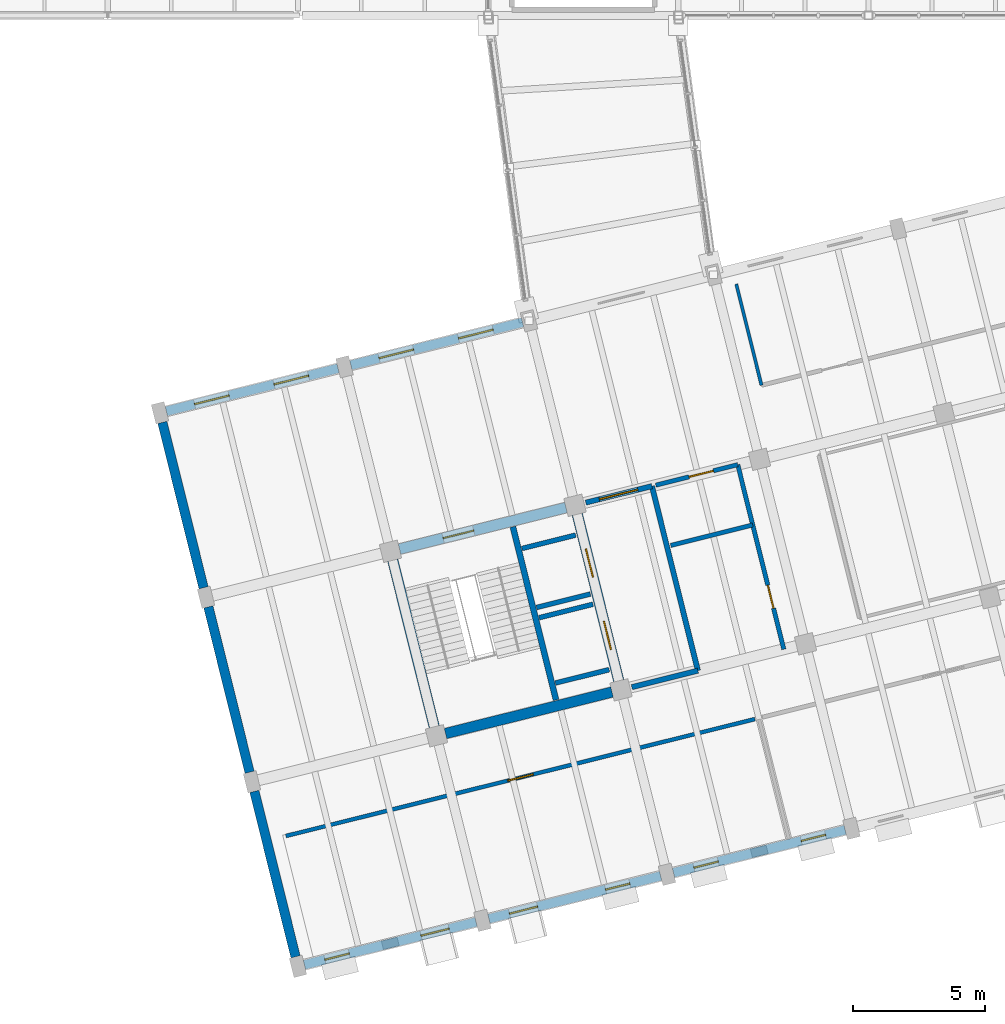
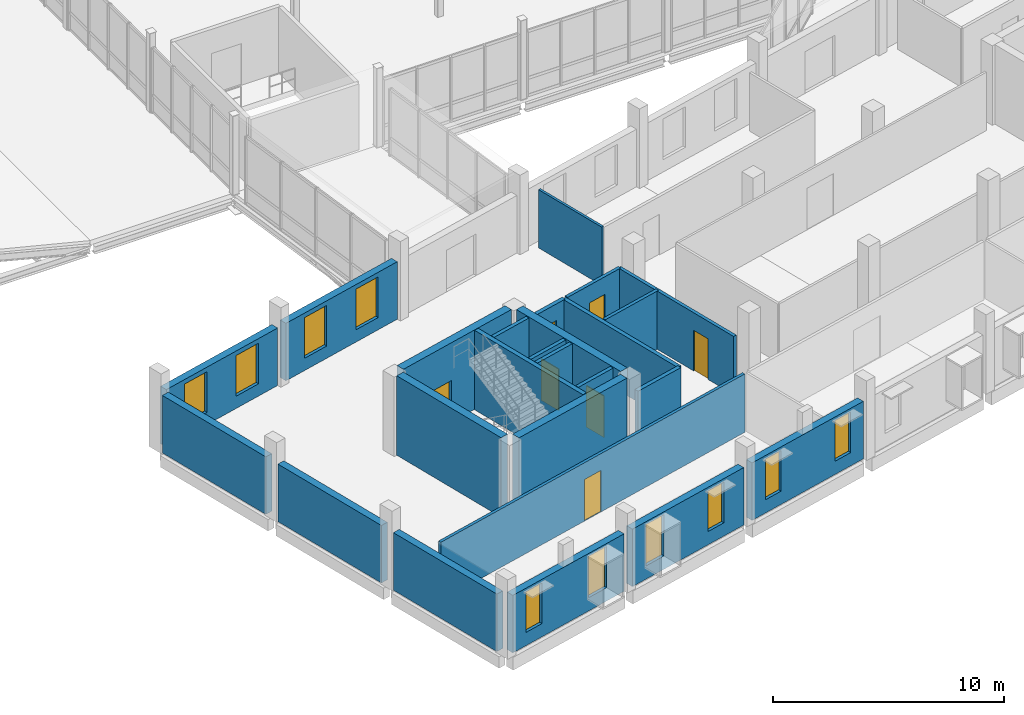
# One storey, part 46 of 63: 25 walls, 10 windows, 7 doors, 17 openings.
"""IFC4 building model written with IfcOpenShell, lengths in metres."""

from ifc_helpers import new_model, si_unit, direction, frame, frame_2d, origin, place, context, subcontext, project, spatial, rectangle, extrude, material, layer, layer_set, type_object, element, fill, save


model = new_model("IFC4")

# Units and contexts
model_context = context("Model", 3, precision=1e-05, world=origin(), true_north=direction((0.0, 1.0)))
body_context = subcontext(model_context, "Body", "Model", "MODEL_VIEW")
ifc_project = project(units=[si_unit("LENGTHUNIT", "METRE"), si_unit("AREAUNIT", "SQUARE_METRE"), si_unit("VOLUMEUNIT", "CUBIC_METRE"), si_unit("PLANEANGLEUNIT", "RADIAN"), si_unit("MASSUNIT", "GRAM", prefix="KILO")], contexts=[model_context])

# Site, building, storey
site_placement = place(None, origin())
site = spatial("IfcSite", under=ifc_project, at=site_placement, CompositionType="ELEMENT")
building_placement = place(site_placement, origin())
building = spatial("IfcBuilding", under=site, at=building_placement, Name="Qiaolan Assembly House", CompositionType="ELEMENT")
storey_placement = place(building_placement, frame((0.0, 0.0, 14.39990234375)))
storey = spatial("IfcBuildingStorey", under=building, at=storey_placement, Name="L03", CompositionType="ELEMENT", Elevation=14.39990234375)

# Wall
ifc_material_1 = material(Name="Concrete C45/55", Category="concrete")
ifc_layer_1 = layer(ifc_material_1, 0.39990234375)
ifc_layer_set_1 = layer_set([ifc_layer_1], Name="Concrete C45/55")
wall_type_1 = type_object("IfcWallType", Name="WAL-CORE-400", PredefinedType="SHEAR", material=ifc_layer_set_1)
wall_1_placement = place(storey_placement, frame((41.583984375, 8.812744140625, 0.0), z_axis=(0.0, 0.0, 1.0), x_axis=(0.970294759049, 0.241925774902, 0.0)))
element("IfcWall", 1, at=wall_1_placement, inside=storey, type_object=wall_type_1, Name="CW-400 shear core wall CORE-C S L03", PredefinedType="SHEAR", context=body_context, shape_type="SweptSolid", body=[
    extrude(rectangle(XDim=6.5, YDim=0.39990234375, at=frame_2d((3.25, 0.0))), origin(), (0.0, 0.0, 1.0), 4.2001953125),
])

# Wall, openings, doors
wall_2_placement = place(storey_placement, frame((48.145751953125, 10.809326171875, 0.0), z_axis=(0.0, 0.0, 1.0), x_axis=(-0.241925774902, 0.970294759049, 0.0)))
wall_2 = element("IfcWall", 2, at=wall_2_placement, inside=storey, type_object=wall_type_1, Name="CW-400 shear core wall CORE-C E L03", PredefinedType="SHEAR", context=body_context, shape_type="SweptSolid", body=[
    extrude(rectangle(XDim=6.5, YDim=0.39990234375, at=frame_2d((3.25, 0.0))), origin(), (0.0, 0.0, 1.0), 4.2001953125),
])
opening_1_placement = place(wall_2_placement, frame((1.22509765625, 0.0, 0.0)))
opening_1 = element("IfcOpeningElement", 3, at=opening_1_placement, cuts=wall_2, Name="Opening LD-049", PredefinedType="OPENING", context=body_context, shape_type="SweptSolid", body=[
    extrude(rectangle(XDim=1.10009765625, YDim=2.199951171875, at=frame_2d((0.550048828125, 1.10009765625))), frame((0.0, 0.2099609375, 0.0), z_axis=(0.0, -1.0, 0.0), x_axis=(1.0, 0.0, 0.0)), (0.0, 0.0, 1.0), 0.419921875),
])
opening_2_placement = place(wall_2_placement, frame((4.050048828125, 0.0, 0.0)))
opening_2 = element("IfcOpeningElement", 4, at=opening_2_placement, cuts=wall_2, Name="Opening LD-055", PredefinedType="OPENING", context=body_context, shape_type="SweptSolid", body=[
    extrude(rectangle(XDim=1.10009765625, YDim=2.199951171875, at=frame_2d((0.550048828125, 1.10009765625))), frame((0.0, 0.2099609375, 0.0), z_axis=(0.0, -1.0, 0.0), x_axis=(1.0, 0.0, 0.0)), (0.0, 0.0, 1.0), 0.419921875),
])
ifc_material_2 = material(Name="Anodised bronze aluminium", Category="aluminium")
door_type_1 = type_object("IfcDoorType", Name="DOR-LIFT-LD1100", OperationType="SLIDING_TO_LEFT", PredefinedType="DOOR", material=ifc_material_2)
door_1_placement = place(opening_1_placement, origin())
door_1 = element("IfcDoor", 5, at=door_1_placement, inside=storey, type_object=door_type_1, Name="Lift landing door LD-049 (LF-06 L03)", OperationType="SLIDING_TO_LEFT", OverallHeight=2.199951171875, OverallWidth=1.10009765625, PredefinedType="DOOR", context=body_context, shape_type="SweptSolid", body=[
    extrude(rectangle(XDim=1.10009765625, YDim=2.199951171875, at=frame_2d((0.550048828125, 1.10009765625))), frame((0.0, 0.02490234375, 0.0), z_axis=(0.0, -1.0, 0.0), x_axis=(1.0, 0.0, 0.0)), (0.0, 0.0, 1.0), 0.050048828125),
])
fill(opening_1, door_1)
door_2_placement = place(opening_2_placement, origin())
door_2 = element("IfcDoor", 6, at=door_2_placement, inside=storey, type_object=door_type_1, Name="Lift landing door LD-055 (LF-07 L03)", OperationType="SLIDING_TO_LEFT", OverallHeight=2.199951171875, OverallWidth=1.10009765625, PredefinedType="DOOR", context=body_context, shape_type="SweptSolid", body=[
    extrude(rectangle(XDim=1.10009765625, YDim=2.199951171875, at=frame_2d((0.550048828125, 1.10009765625))), frame((0.0, 0.02490234375, 0.0), z_axis=(0.0, -1.0, 0.0), x_axis=(1.0, 0.0, 0.0)), (0.0, 0.0, 1.0), 0.050048828125),
])
fill(opening_2, door_2)

# Wall, opening, door
wall_3_placement = place(storey_placement, frame((46.14892578125, 17.371337890625, 0.0), z_axis=(0.0, 0.0, 1.0), x_axis=(-0.970294759049, -0.241925774902, 0.0)))
wall_3 = element("IfcWall", 7, at=wall_3_placement, inside=storey, type_object=wall_type_1, Name="CW-400 shear core wall CORE-C N L03", PredefinedType="SHEAR", context=body_context, shape_type="SweptSolid", body=[
    extrude(rectangle(XDim=6.5, YDim=0.39990234375, at=frame_2d((3.25, 0.0))), origin(), (0.0, 0.0, 1.0), 4.2001953125),
])
opening_3_placement = place(wall_3_placement, frame((3.60009765625, 0.0, 0.0)))
opening_3 = element("IfcOpeningElement", 8, at=opening_3_placement, cuts=wall_3, Name="Opening FD-083", PredefinedType="OPENING", context=body_context, shape_type="SweptSolid", body=[
    extrude(rectangle(XDim=1.199951171875, YDim=2.199951171875, at=frame_2d((0.60009765625, 1.10009765625))), frame((0.0, 0.2099609375, 0.0), z_axis=(0.0, -1.0, 0.0), x_axis=(1.0, 0.0, 0.0)), (0.0, 0.0, 1.0), 0.419921875),
])
ifc_material_3 = material(Name="Steel Q355B", Category="steel")
door_type_2 = type_object("IfcDoorType", Name="DOR-FIRE-FD90-1200", OperationType="NOTDEFINED", PredefinedType="DOOR", material=ifc_material_3)
door_3_placement = place(opening_3_placement, frame((1.199951171875, 0.0, 0.0), z_axis=(0.0, 0.0, 1.0), x_axis=(-1.0, 0.0, 0.0)))
door_3 = element("IfcDoor", 9, at=door_3_placement, inside=storey, type_object=door_type_2, Name="Stairwell fire door FD-083 (CORE-C L03)", OperationType="SINGLE_SWING_RIGHT", OverallHeight=2.199951171875, OverallWidth=1.199951171875, PredefinedType="DOOR", context=body_context, shape_type="SweptSolid", body=[
    extrude(rectangle(XDim=1.199951171875, YDim=2.199951171875, at=frame_2d((0.60009765625, 1.10009765625))), frame((0.0, 0.02490234375, 0.0), z_axis=(0.0, -1.0, 0.0), x_axis=(1.0, 0.0, 0.0)), (0.0, 0.0, 1.0), 0.050048828125),
])
fill(opening_3, door_3)

# Wall
wall_4_placement = place(storey_placement, frame((39.587158203125, 15.37451171875, 0.0), z_axis=(0.0, 0.0, 1.0), x_axis=(0.241925774902, -0.970294759049, 0.0)))
element("IfcWall", 10, at=wall_4_placement, inside=storey, type_object=wall_type_1, Name="CW-400 shear core wall CORE-C W L03", PredefinedType="SHEAR", context=body_context, shape_type="SweptSolid", body=[
    extrude(rectangle(XDim=6.5, YDim=0.39990234375, at=frame_2d((3.25, 0.0))), origin(), (0.0, 0.0, 1.0), 4.2001953125),
])

# Wall, openings, windows
ifc_material_4 = material(Name="Honed pale limestone", Category="masonry")
ifc_layer_2 = layer(ifc_material_4, 0.360107421875)
ifc_layer_set_2 = layer_set([ifc_layer_2], Name="Honed pale limestone")
wall_type_2 = type_object("IfcWallType", Name="WAL-EXT-LIMESTONE-360", PredefinedType="SOLIDWALL", material=ifc_layer_set_2)
wall_5_placement = place(storey_placement, frame((36.24072265625, 0.06005859375, 0.0), z_axis=(0.0, 0.0, 1.0), x_axis=(0.970296540998, 0.241918627903, 0.0)))
wall_5 = element("IfcWall", 11, at=wall_5_placement, inside=storey, type_object=wall_type_2, Name="EW-360 SE South boulevard wall L03 bay 1", PredefinedType="SOLIDWALL", context=body_context, shape_type="SweptSolid", body=[
    extrude(rectangle(XDim=6.7041015625, YDim=0.360107421875, at=frame_2d((3.35205078125, 0.0))), origin(), (0.0, 0.0, 1.0), 3.0400390625),
])
opening_4_placement = place(wall_5_placement, frame((0.802001953125, 0.0, 0.699951171875)))
opening_4 = element("IfcOpeningElement", 12, at=opening_4_placement, cuts=wall_5, Name="Opening WN-310", PredefinedType="OPENING", context=body_context, shape_type="SweptSolid", body=[
    extrude(rectangle(XDim=0.949951171875, YDim=2.14990234375, at=frame_2d((0.47509765625, 1.074951171875))), frame((0.0, 0.18994140625, 0.0), z_axis=(0.0, -1.0, 0.0), x_axis=(1.0, 0.0, 0.0)), (0.0, 0.0, 1.0), 0.380126953125),
])
opening_5_placement = place(wall_5_placement, frame((4.552001953125, 0.0, 0.699951171875)))
opening_5 = element("IfcOpeningElement", 13, at=opening_5_placement, cuts=wall_5, Name="Opening WN-311", PredefinedType="OPENING", context=body_context, shape_type="SweptSolid", body=[
    extrude(rectangle(XDim=1.10009765625, YDim=2.18994140625, at=frame_2d((0.550048828125, 1.094970703125))), frame((0.0, 0.18994140625, 0.0), z_axis=(0.0, -1.0, 0.0), x_axis=(1.0, 0.0, 0.0)), (0.0, 0.0, 1.0), 0.380126953125),
])
ifc_material_5 = material(Name="Low-E double insulating glass", Category="glass")
window_type_1 = type_object("IfcWindowType", Name="WIN-BOX-1100x2350", PartitioningType="SINGLE_PANEL", PredefinedType="WINDOW", material=ifc_material_5)
window_1_placement = place(opening_5_placement, origin())
window_1 = element("IfcWindow", 14, at=window_1_placement, inside=storey, type_object=window_type_1, Name="WN-T11 splayed window WN-311", OverallHeight=2.18994140625, OverallWidth=1.10009765625, PartitioningType="SINGLE_PANEL", PredefinedType="WINDOW", context=body_context, shape_type="SweptSolid", body=[
    extrude(rectangle(XDim=1.10009765625, YDim=2.18994140625, at=frame_2d((0.550048828125, 1.094970703125))), frame((0.0, 0.030029296875, 0.0), z_axis=(0.0, -1.0, 0.0), x_axis=(1.0, 0.0, 0.0)), (0.0, 0.0, 1.0), 0.06005859375),
])
fill(opening_5, window_1)
window_type_2 = type_object("IfcWindowType", Name="WIN-PUNCH-950x2150", PartitioningType="SINGLE_PANEL", PredefinedType="WINDOW", material=ifc_material_5)
window_2_placement = place(opening_4_placement, origin())
window_2 = element("IfcWindow", 15, at=window_2_placement, inside=storey, type_object=window_type_2, Name="WN-T14 splayed window WN-310", OverallHeight=2.14990234375, OverallWidth=0.949951171875, PartitioningType="SINGLE_PANEL", PredefinedType="WINDOW", context=body_context, shape_type="SweptSolid", body=[
    extrude(rectangle(XDim=0.949951171875, YDim=2.14990234375, at=frame_2d((0.47509765625, 1.074951171875))), frame((0.0, 0.030029296875, 0.0), z_axis=(0.0, -1.0, 0.0), x_axis=(1.0, 0.0, 0.0)), (0.0, 0.0, 1.0), 0.06005859375),
])
fill(opening_4, window_2)

wall_6_placement = place(storey_placement, frame((43.226806640625, 1.8017578125, 0.0), z_axis=(0.0, 0.0, 1.0), x_axis=(0.970296540998, 0.241918627903, 0.0)))
wall_6 = element("IfcWall", 16, at=wall_6_placement, inside=storey, type_object=wall_type_2, Name="EW-360 SE South boulevard wall L03 bay 2", PredefinedType="SOLIDWALL", context=body_context, shape_type="SweptSolid", body=[
    extrude(rectangle(XDim=6.7041015625, YDim=0.360107421875, at=frame_2d((3.35205078125, 0.0))), origin(), (0.0, 0.0, 1.0), 3.0400390625),
])
opening_6_placement = place(wall_6_placement, frame((0.802001953125, 0.0, 0.699951171875)))
opening_6 = element("IfcOpeningElement", 17, at=opening_6_placement, cuts=wall_6, Name="Opening WN-312", PredefinedType="OPENING", context=body_context, shape_type="SweptSolid", body=[
    extrude(rectangle(XDim=1.10009765625, YDim=2.18994140625, at=frame_2d((0.550048828125, 1.094970703125))), frame((0.0, 0.18994140625, 0.0), z_axis=(0.0, -1.0, 0.0), x_axis=(1.0, 0.0, 0.0)), (0.0, 0.0, 1.0), 0.380126953125),
])
opening_7_placement = place(wall_6_placement, frame((4.552001953125, 0.0, 0.699951171875)))
opening_7 = element("IfcOpeningElement", 18, at=opening_7_placement, cuts=wall_6, Name="Opening WN-313", PredefinedType="OPENING", context=body_context, shape_type="SweptSolid", body=[
    extrude(rectangle(XDim=0.949951171875, YDim=2.14990234375, at=frame_2d((0.47509765625, 1.074951171875))), frame((0.0, 0.18994140625, 0.0), z_axis=(0.0, -1.0, 0.0), x_axis=(1.0, 0.0, 0.0)), (0.0, 0.0, 1.0), 0.380126953125),
])
window_3_placement = place(opening_6_placement, origin())
window_3 = element("IfcWindow", 19, at=window_3_placement, inside=storey, type_object=window_type_1, Name="WN-T11 splayed window WN-312", OverallHeight=2.18994140625, OverallWidth=1.10009765625, PartitioningType="SINGLE_PANEL", PredefinedType="WINDOW", context=body_context, shape_type="SweptSolid", body=[
    extrude(rectangle(XDim=1.10009765625, YDim=2.18994140625, at=frame_2d((0.550048828125, 1.094970703125))), frame((0.0, 0.030029296875, 0.0), z_axis=(0.0, -1.0, 0.0), x_axis=(1.0, 0.0, 0.0)), (0.0, 0.0, 1.0), 0.06005859375),
])
fill(opening_6, window_3)
window_4_placement = place(opening_7_placement, origin())
window_4 = element("IfcWindow", 20, at=window_4_placement, inside=storey, type_object=window_type_2, Name="WN-T14 splayed window WN-313", OverallHeight=2.14990234375, OverallWidth=0.949951171875, PartitioningType="SINGLE_PANEL", PredefinedType="WINDOW", context=body_context, shape_type="SweptSolid", body=[
    extrude(rectangle(XDim=0.949951171875, YDim=2.14990234375, at=frame_2d((0.47509765625, 1.074951171875))), frame((0.0, 0.030029296875, 0.0), z_axis=(0.0, -1.0, 0.0), x_axis=(1.0, 0.0, 0.0)), (0.0, 0.0, 1.0), 0.06005859375),
])
fill(opening_7, window_4)

wall_7_placement = place(storey_placement, frame((50.212890625, 3.543701171875, 0.0), z_axis=(0.0, 0.0, 1.0), x_axis=(0.970296540998, 0.241918627903, 0.0)))
wall_7 = element("IfcWall", 21, at=wall_7_placement, inside=storey, type_object=wall_type_2, Name="EW-360 SE South boulevard wall L03 bay 3", PredefinedType="SOLIDWALL", context=body_context, shape_type="SweptSolid", body=[
    extrude(rectangle(XDim=6.7041015625, YDim=0.360107421875, at=frame_2d((3.35205078125, 0.0))), origin(), (0.0, 0.0, 1.0), 3.0400390625),
])
opening_8_placement = place(wall_7_placement, frame((0.802001953125, 0.0, 0.699951171875)))
opening_8 = element("IfcOpeningElement", 22, at=opening_8_placement, cuts=wall_7, Name="Opening WN-314", PredefinedType="OPENING", context=body_context, shape_type="SweptSolid", body=[
    extrude(rectangle(XDim=0.949951171875, YDim=2.14990234375, at=frame_2d((0.47509765625, 1.074951171875))), frame((0.0, 0.18994140625, 0.0), z_axis=(0.0, -1.0, 0.0), x_axis=(1.0, 0.0, 0.0)), (0.0, 0.0, 1.0), 0.380126953125),
])
opening_9_placement = place(wall_7_placement, frame((4.988037109375, 0.0, 0.699951171875)))
opening_9 = element("IfcOpeningElement", 23, at=opening_9_placement, cuts=wall_7, Name="Opening WN-315", PredefinedType="OPENING", context=body_context, shape_type="SweptSolid", body=[
    extrude(rectangle(XDim=0.949951171875, YDim=2.14990234375, at=frame_2d((0.47509765625, 1.074951171875))), frame((0.0, 0.18994140625, 0.0), z_axis=(0.0, -1.0, 0.0), x_axis=(1.0, 0.0, 0.0)), (0.0, 0.0, 1.0), 0.380126953125),
])
window_5_placement = place(opening_8_placement, origin())
window_5 = element("IfcWindow", 24, at=window_5_placement, inside=storey, type_object=window_type_2, Name="WN-T14 splayed window WN-314", OverallHeight=2.14990234375, OverallWidth=0.949951171875, PartitioningType="SINGLE_PANEL", PredefinedType="WINDOW", context=body_context, shape_type="SweptSolid", body=[
    extrude(rectangle(XDim=0.949951171875, YDim=2.14990234375, at=frame_2d((0.47509765625, 1.074951171875))), frame((0.0, 0.030029296875, 0.0), z_axis=(0.0, -1.0, 0.0), x_axis=(1.0, 0.0, 0.0)), (0.0, 0.0, 1.0), 0.06005859375),
])
fill(opening_8, window_5)
window_6_placement = place(opening_9_placement, origin())
window_6 = element("IfcWindow", 25, at=window_6_placement, inside=storey, type_object=window_type_2, Name="WN-T14 splayed window WN-315", OverallHeight=2.14990234375, OverallWidth=0.949951171875, PartitioningType="SINGLE_PANEL", PredefinedType="WINDOW", context=body_context, shape_type="SweptSolid", body=[
    extrude(rectangle(XDim=0.949951171875, YDim=2.14990234375, at=frame_2d((0.47509765625, 1.074951171875))), frame((0.0, 0.030029296875, 0.0), z_axis=(0.0, -1.0, 0.0), x_axis=(1.0, 0.0, 0.0)), (0.0, 0.0, 1.0), 0.06005859375),
])
fill(opening_9, window_6)

wall_8_placement = place(storey_placement, frame((37.52001953125, 22.64013671875, 0.0), z_axis=(0.0, 0.0, 1.0), x_axis=(-0.970296540998, -0.241918627903, 0.0)))
wall_8 = element("IfcWall", 26, at=wall_8_placement, inside=storey, type_object=wall_type_2, Name="EW-360 SE North court wall L03 bay 1", PredefinedType="SOLIDWALL", context=body_context, shape_type="SweptSolid", body=[
    extrude(rectangle(XDim=6.7041015625, YDim=0.360107421875, at=frame_2d((3.35205078125, 0.0))), origin(), (0.0, 0.0, 1.0), 3.0400390625),
])
opening_10_placement = place(wall_8_placement, frame((1.152099609375, 0.0, 0.64990234375)))
opening_10 = element("IfcOpeningElement", 27, at=opening_10_placement, cuts=wall_8, Name="Opening WN-326", PredefinedType="OPENING", context=body_context, shape_type="SweptSolid", body=[
    extrude(rectangle(XDim=1.35009765625, YDim=2.14990234375, at=frame_2d((0.675048828125, 1.074951171875))), frame((0.0, 0.18994140625, 0.0), z_axis=(0.0, -1.0, 0.0), x_axis=(1.0, 0.0, 0.0)), (0.0, 0.0, 1.0), 0.380126953125),
])
opening_11_placement = place(wall_8_placement, frame((4.251953125, 0.0, 0.64990234375)))
opening_11 = element("IfcOpeningElement", 28, at=opening_11_placement, cuts=wall_8, Name="Opening WN-327", PredefinedType="OPENING", context=body_context, shape_type="SweptSolid", body=[
    extrude(rectangle(XDim=1.35009765625, YDim=2.14990234375, at=frame_2d((0.675048828125, 1.074951171875))), frame((0.0, 0.18994140625, 0.0), z_axis=(0.0, -1.0, 0.0), x_axis=(1.0, 0.0, 0.0)), (0.0, 0.0, 1.0), 0.380126953125),
])
window_type_3 = type_object("IfcWindowType", Name="WIN-COURT-1350x2150", PartitioningType="DOUBLE_PANEL_VERTICAL", PredefinedType="WINDOW", material=ifc_material_5)
window_7_placement = place(opening_10_placement, origin())
window_7 = element("IfcWindow", 29, at=window_7_placement, inside=storey, type_object=window_type_3, Name="SE court window WN-326", OverallHeight=2.14990234375, OverallWidth=1.35009765625, PartitioningType="DOUBLE_PANEL_VERTICAL", PredefinedType="WINDOW", context=body_context, shape_type="SweptSolid", body=[
    extrude(rectangle(XDim=1.35009765625, YDim=2.14990234375, at=frame_2d((0.675048828125, 1.074951171875))), frame((0.0, 0.030029296875, 0.0), z_axis=(0.0, -1.0, 0.0), x_axis=(1.0, 0.0, 0.0)), (0.0, 0.0, 1.0), 0.06005859375),
])
fill(opening_10, window_7)
window_8_placement = place(opening_11_placement, origin())
window_8 = element("IfcWindow", 30, at=window_8_placement, inside=storey, type_object=window_type_3, Name="SE court window WN-327", OverallHeight=2.14990234375, OverallWidth=1.35009765625, PartitioningType="DOUBLE_PANEL_VERTICAL", PredefinedType="WINDOW", context=body_context, shape_type="SweptSolid", body=[
    extrude(rectangle(XDim=1.35009765625, YDim=2.14990234375, at=frame_2d((0.675048828125, 1.074951171875))), frame((0.0, 0.030029296875, 0.0), z_axis=(0.0, -1.0, 0.0), x_axis=(1.0, 0.0, 0.0)), (0.0, 0.0, 1.0), 0.06005859375),
])
fill(opening_11, window_8)

wall_9_placement = place(storey_placement, frame((44.506103515625, 24.382080078125, 0.0), z_axis=(0.0, 0.0, 1.0), x_axis=(-0.970296540998, -0.241918627903, 0.0)))
wall_9 = element("IfcWall", 31, at=wall_9_placement, inside=storey, type_object=wall_type_2, Name="EW-360 SE North court wall L03 bay 2", PredefinedType="SOLIDWALL", context=body_context, shape_type="SweptSolid", body=[
    extrude(rectangle(XDim=6.7041015625, YDim=0.360107421875, at=frame_2d((3.35205078125, 0.0))), origin(), (0.0, 0.0, 1.0), 3.0400390625),
])
opening_12_placement = place(wall_9_placement, frame((1.152099609375, 0.0, 0.64990234375)))
opening_12 = element("IfcOpeningElement", 32, at=opening_12_placement, cuts=wall_9, Name="Opening WN-328", PredefinedType="OPENING", context=body_context, shape_type="SweptSolid", body=[
    extrude(rectangle(XDim=1.35009765625, YDim=2.14990234375, at=frame_2d((0.675048828125, 1.074951171875))), frame((0.0, 0.18994140625, 0.0), z_axis=(0.0, -1.0, 0.0), x_axis=(1.0, 0.0, 0.0)), (0.0, 0.0, 1.0), 0.380126953125),
])
opening_13_placement = place(wall_9_placement, frame((4.251953125, 0.0, 0.64990234375)))
opening_13 = element("IfcOpeningElement", 33, at=opening_13_placement, cuts=wall_9, Name="Opening WN-329", PredefinedType="OPENING", context=body_context, shape_type="SweptSolid", body=[
    extrude(rectangle(XDim=1.35009765625, YDim=2.14990234375, at=frame_2d((0.675048828125, 1.074951171875))), frame((0.0, 0.18994140625, 0.0), z_axis=(0.0, -1.0, 0.0), x_axis=(1.0, 0.0, 0.0)), (0.0, 0.0, 1.0), 0.380126953125),
])
window_9_placement = place(opening_12_placement, origin())
window_9 = element("IfcWindow", 34, at=window_9_placement, inside=storey, type_object=window_type_3, Name="SE court window WN-328", OverallHeight=2.14990234375, OverallWidth=1.35009765625, PartitioningType="DOUBLE_PANEL_VERTICAL", PredefinedType="WINDOW", context=body_context, shape_type="SweptSolid", body=[
    extrude(rectangle(XDim=1.35009765625, YDim=2.14990234375, at=frame_2d((0.675048828125, 1.074951171875))), frame((0.0, 0.030029296875, 0.0), z_axis=(0.0, -1.0, 0.0), x_axis=(1.0, 0.0, 0.0)), (0.0, 0.0, 1.0), 0.06005859375),
])
fill(opening_12, window_9)
window_10_placement = place(opening_13_placement, origin())
window_10 = element("IfcWindow", 35, at=window_10_placement, inside=storey, type_object=window_type_3, Name="SE court window WN-329", OverallHeight=2.14990234375, OverallWidth=1.35009765625, PartitioningType="DOUBLE_PANEL_VERTICAL", PredefinedType="WINDOW", context=body_context, shape_type="SweptSolid", body=[
    extrude(rectangle(XDim=1.35009765625, YDim=2.14990234375, at=frame_2d((0.675048828125, 1.074951171875))), frame((0.0, 0.030029296875, 0.0), z_axis=(0.0, -1.0, 0.0), x_axis=(1.0, 0.0, 0.0)), (0.0, 0.0, 1.0), 0.06005859375),
])
fill(opening_13, window_10)

# Walls
wall_10_placement = place(storey_placement, frame((34.348388671875, 6.624267578125, 0.0), z_axis=(0.0, 0.0, 1.0), x_axis=(0.241903640236, -0.970300277667, 0.0)))
element("IfcWall", 36, at=wall_10_placement, inside=storey, type_object=wall_type_2, Name="SE West wall L03-1", PredefinedType="SOLIDWALL", context=body_context, shape_type="SweptSolid", body=[
    extrude(rectangle(XDim=6.4541015625, YDim=0.360107421875, at=frame_2d((3.22705078125, 0.0))), origin(), (0.0, 0.0, 1.0), 3.0400390625),
])
for number, where, z_axis, x_axis, name in (
    (37, (32.6064453125, 13.6103515625, 0.0), (0.0, 0.0, 1.0), (0.241948133388, -0.970289184084, 0.0), "SE West wall L03-2"),
    (38, (30.86474609375, 20.596435546875, 0.0), (0.0, 0.0, 1.0), (0.241912519272, -0.970298064009, 0.0), "SE West wall L03-3"),
):
    element("IfcWall", number, at=place(storey_placement, frame(where, z_axis=z_axis, x_axis=x_axis)), inside=storey, type_object=wall_type_2, Name=name, PredefinedType="SOLIDWALL", context=body_context, shape_type="SweptSolid", body=[
        extrude(rectangle(XDim=6.453857421875, YDim=0.360107421875, at=frame_2d((3.22705078125, 0.0))), origin(), (0.0, 0.0, 1.0), 3.0400390625),
    ])
ifc_material_6 = material(Name="Concrete C35/45", Category="concrete")
ifc_layer_3 = layer(ifc_material_6, 0.199951171875)
ifc_layer_set_3 = layer_set([ifc_layer_3], Name="Concrete C35/45")
wall_type_3 = type_object("IfcWallType", Name="WAL-LOBBY-200", PredefinedType="PARTITIONING", material=ifc_layer_set_3)
wall_11_placement = place(storey_placement, frame((51.141357421875, 11.195556640625, 0.0), z_axis=(0.0, 0.0, 1.0), x_axis=(-0.241937193493, 0.970291911955, 0.0)))
element("IfcWall", 39, at=wall_11_placement, inside=storey, type_object=wall_type_3, Name="Firefighting lift lobby east wall CORE-C L03", PredefinedType="PARTITIONING", context=body_context, shape_type="SweptSolid", body=[
    extrude(rectangle(XDim=7.199951171875, YDim=0.199951171875, at=frame_2d((3.60009765625, 0.0))), origin(), (0.0, 0.0, 1.0), 3.080078125),
])
wall_12_placement = place(storey_placement, frame((48.637939453125, 10.571533203125, 0.0), z_axis=(0.0, 0.0, 1.0), x_axis=(0.970309259708, 0.2418676095, 0.0)))
element("IfcWall", 40, at=wall_12_placement, inside=storey, type_object=wall_type_3, Name="Firefighting lift lobby south wall CORE-C L03", PredefinedType="PARTITIONING", context=body_context, shape_type="SweptSolid", body=[
    extrude(rectangle(XDim=2.580078125, YDim=0.199951171875, at=frame_2d((1.2900390625, 0.0))), origin(), (0.0, 0.0, 1.0), 3.080078125),
])

# Wall, opening, door
wall_13_placement = place(storey_placement, frame((49.3994140625, 18.181640625, 0.0), z_axis=(0.0, 0.0, 1.0), x_axis=(-0.970309259708, -0.2418676095, 0.0)))
wall_13 = element("IfcWall", 41, at=wall_13_placement, inside=storey, type_object=wall_type_3, Name="Firefighting lift lobby north wall CORE-C L03", PredefinedType="PARTITIONING", context=body_context, shape_type="SweptSolid", body=[
    extrude(rectangle(XDim=2.580078125, YDim=0.199951171875, at=frame_2d((1.2900390625, 0.0))), origin(), (0.0, 0.0, 1.0), 3.080078125),
])
opening_14_placement = place(wall_13_placement, frame((0.550048828125, 0.0, 0.0)))
opening_14 = element("IfcOpeningElement", 42, at=opening_14_placement, cuts=wall_13, Name="Opening FD-084", PredefinedType="OPENING", context=body_context, shape_type="SweptSolid", body=[
    extrude(rectangle(XDim=1.5, YDim=2.199951171875, at=frame_2d((0.75, 1.10009765625))), frame((0.0, 0.10986328125, 0.0), z_axis=(0.0, -1.0, 0.0), x_axis=(1.0, 0.0, 0.0)), (0.0, 0.0, 1.0), 0.219970703125),
])
ifc_material_7 = material(Name="Acoustic oak panelling")
door_type_3 = type_object("IfcDoorType", Name="DOR-LOBBY-FD60-1500", OperationType="DOUBLE_DOOR_SINGLE_SWING", PredefinedType="DOOR", material=ifc_material_7)
door_4_placement = place(opening_14_placement, frame((1.5, 0.0, 0.0), z_axis=(0.0, 0.0, 1.0), x_axis=(-1.0, 0.0, 0.0)))
door_4 = element("IfcDoor", 43, at=door_4_placement, inside=storey, type_object=door_type_3, Name="Lobby corridor fire door FD-084", OperationType="DOUBLE_DOOR_SINGLE_SWING", OverallHeight=2.199951171875, OverallWidth=1.5, PredefinedType="DOOR", context=body_context, shape_type="SweptSolid", body=[
    extrude(rectangle(XDim=1.5, YDim=2.199951171875, at=frame_2d((0.75, 1.10009765625))), frame((0.0, 0.02490234375, 0.0), z_axis=(0.0, -1.0, 0.0), x_axis=(1.0, 0.0, 0.0)), (0.0, 0.0, 1.0), 0.050048828125),
])
fill(opening_14, door_4)

# Wall
ifc_material_8 = material(Name="Gypsum plasterboard partition")
ifc_layer_4 = layer(ifc_material_8, 0.1201171875)
ifc_layer_set_4 = layer_set([ifc_layer_4], Name="Gypsum plasterboard partition")
wall_type_4 = type_object("IfcWallType", Name="WAL-PART-120", PredefinedType="PARTITIONING", material=ifc_layer_set_4)
wall_14_placement = place(storey_placement, frame((53.54931640625, 21.9990234375, 0.0), z_axis=(0.0, 0.0, 1.0), x_axis=(-0.241910239337, 0.970298632434, 0.0)))
element("IfcWall", 44, at=wall_14_placement, inside=storey, type_object=wall_type_4, Name="Court Outlook Consultation Suite L03 west wall", PredefinedType="PARTITIONING", context=body_context, shape_type="SweptSolid", body=[
    extrude(rectangle(XDim=3.9501953125, YDim=0.1201171875, at=frame_2d((1.97509765625, 0.0))), origin(), (0.0, 0.0, 1.0), 3.080078125),
])

# Wall, opening, door
ifc_layer_5 = layer(ifc_material_8, 0.14990234375)
ifc_layer_set_5 = layer_set([ifc_layer_5], Name="Gypsum plasterboard partition")
wall_type_5 = type_object("IfcWallType", Name="WAL-PART-150", PredefinedType="PARTITIONING", material=ifc_layer_set_5)
wall_15_placement = place(storey_placement, frame((35.542236328125, 4.935791015625, 0.0), z_axis=(0.0, 0.0, 1.0), x_axis=(0.970295334748, 0.241923465927, 0.0)))
wall_15 = element("IfcWall", 45, at=wall_15_placement, inside=storey, type_object=wall_type_5, Name="Social Welfare & Public Housing Department north wall", PredefinedType="PARTITIONING", context=body_context, shape_type="SweptSolid", body=[
    extrude(rectangle(XDim=18.30029296875, YDim=0.14990234375, at=frame_2d((9.150146484375, 0.0))), origin(), (0.0, 0.0, 1.0), 3.080078125),
])
opening_15_placement = place(wall_15_placement, frame((8.64990234375, 0.0, 0.0)))
opening_15 = element("IfcOpeningElement", 46, at=opening_15_placement, cuts=wall_15, Name="Opening SD-255", PredefinedType="OPENING", context=body_context, shape_type="SweptSolid", body=[
    extrude(rectangle(XDim=1.0, YDim=2.199951171875, at=frame_2d((0.5, 1.10009765625))), frame((0.0, 0.0849609375, 0.0), z_axis=(0.0, -1.0, 0.0), x_axis=(1.0, 0.0, 0.0)), (0.0, 0.0, 1.0), 0.169921875),
])
door_type_4 = type_object("IfcDoorType", Name="DOR-OFF-SGL-1000", OperationType="NOTDEFINED", PredefinedType="DOOR", material=ifc_material_7)
door_5_placement = place(opening_15_placement, origin())
door_5 = element("IfcDoor", 47, at=door_5_placement, inside=storey, type_object=door_type_4, Name="Social Welfare & Public Housing Department door SD-255", OperationType="SINGLE_SWING_LEFT", OverallHeight=2.199951171875, OverallWidth=1.0, PredefinedType="DOOR", context=body_context, shape_type="SweptSolid", body=[
    extrude(rectangle(XDim=1.0, YDim=2.199951171875, at=frame_2d((0.5, 1.10009765625))), frame((0.0, 0.02490234375, 0.0), z_axis=(0.0, -1.0, 0.0), x_axis=(1.0, 0.0, 0.0)), (0.0, 0.0, 1.0), 0.050048828125),
])
fill(opening_15, door_5)

# Walls
ifc_layer_6 = layer(ifc_material_6, 0.18505859375)
ifc_layer_set_6 = layer_set([ifc_layer_6], Name="Concrete C35/45")
wall_type_6 = type_object("IfcWallType", Name="WAL-SHAFT-200", PredefinedType="PARTITIONING", material=ifc_layer_set_6)
for number, where, z_axis, x_axis, name in (
    (48, (45.74462890625, 10.72607421875, 0.0), (0.0, 0.0, 1.0), (0.970292765557, 0.241933770084, 0.0), "SW-200 lift shaft wall LF-06 L03 DIVS"),
    (49, (45.127685546875, 13.2001953125, 0.0), (0.0, 0.0, 1.0), (0.970292765557, 0.241933770084, 0.0), "SW-200 lift shaft wall LF-06 L03 DIVN"),
    (50, (45.031005859375, 13.58837890625, 0.0), (0.0, 0.0, 1.0), (0.970292765557, 0.241933770084, 0.0), "SW-200 lift shaft wall LF-07 L03 DIVS"),
    (51, (44.474609375, 15.820068359375, 0.0), (0.0, 0.0, 1.0), (0.970292765557, 0.241933770084, 0.0), "SW-200 lift shaft wall LF-07 L03 DIVN"),
):
    element("IfcWall", number, at=place(storey_placement, frame(where, z_axis=z_axis, x_axis=x_axis)), inside=storey, type_object=wall_type_6, Name=name, PredefinedType="PARTITIONING", context=body_context, shape_type="SweptSolid", body=[
        extrude(rectangle(XDim=2.10009765625, YDim=0.18505859375, at=frame_2d((1.050048828125, 0.0))), origin(), (0.0, 0.0, 1.0), 4.2001953125),
    ])
ifc_material_9 = material(Name="Concrete C40/50", Category="concrete")
ifc_layer_7 = layer(ifc_material_9, 0.22509765625)
ifc_layer_set_7 = layer_set([ifc_layer_7], Name="Concrete C40/50")
wall_type_7 = type_object("IfcWallType", Name="WAL-STAIR-DIV-225", PredefinedType="SHEAR", material=ifc_layer_set_7)
wall_16_placement = place(storey_placement, frame((45.770751953125, 10.083251953125, 0.0), z_axis=(0.0, 0.0, 1.0), x_axis=(-0.241898249226, 0.970301621673, 0.0)))
element("IfcWall", 52, at=wall_16_placement, inside=storey, type_object=wall_type_7, Name="SDW-225 stairwell structural spine wall CORE-C L03", PredefinedType="SHEAR", context=body_context, shape_type="SweptSolid", body=[
    extrude(rectangle(XDim=6.760009765625, YDim=0.22509765625, at=frame_2d((3.3798828125, 0.0))), origin(), (0.0, 0.0, 1.0), 4.2001953125),
])

# Wall, opening, door
ifc_material_10 = material(Name="Concrete C30/37", Category="concrete")
ifc_layer_8 = layer(ifc_material_10, 0.1650390625)
ifc_layer_set_8 = layer_set([ifc_layer_8], Name="Concrete C30/37")
wall_type_8 = type_object("IfcWallType", Name="WAL-WET-150", PredefinedType="PARTITIONING", material=ifc_layer_set_8)
wall_17_placement = place(storey_placement, frame((54.391845703125, 12.006103515625, 0.0), z_axis=(0.0, 0.0, 1.0), x_axis=(-0.241937193493, 0.970291911955, 0.0)))
wall_17 = element("IfcWall", 53, at=wall_17_placement, inside=storey, type_object=wall_type_8, Name="Public WC east wall CORE-C L03", PredefinedType="PARTITIONING", context=body_context, shape_type="SweptSolid", body=[
    extrude(rectangle(XDim=7.199951171875, YDim=0.1650390625, at=frame_2d((3.60009765625, 0.0))), origin(), (0.0, 0.0, 1.0), 3.080078125),
])
opening_16_placement = place(wall_17_placement, frame((1.60009765625, 0.0, 0.0)))
opening_16 = element("IfcOpeningElement", 54, at=opening_16_placement, cuts=wall_17, Name="Opening WD-085", PredefinedType="OPENING", context=body_context, shape_type="SweptSolid", body=[
    extrude(rectangle(XDim=0.89990234375, YDim=2.14990234375, at=frame_2d((0.449951171875, 1.074951171875))), frame((0.0, 0.092529296875, 0.0), z_axis=(0.0, -1.0, 0.0), x_axis=(1.0, 0.0, 0.0)), (0.0, 0.0, 1.0), 0.18505859375),
])
door_type_5 = type_object("IfcDoorType", Name="DOR-WC-900", OperationType="NOTDEFINED", PredefinedType="DOOR", material=ifc_material_7)
door_6_placement = place(opening_16_placement, origin())
door_6 = element("IfcDoor", 55, at=door_6_placement, inside=storey, type_object=door_type_5, Name="Public Restroom door WD-085", OperationType="SINGLE_SWING_LEFT", OverallHeight=2.14990234375, OverallWidth=0.89990234375, PredefinedType="DOOR", context=body_context, shape_type="SweptSolid", body=[
    extrude(rectangle(XDim=0.89990234375, YDim=2.14990234375, at=frame_2d((0.449951171875, 1.074951171875))), frame((0.0, 0.02490234375, 0.0), z_axis=(0.0, -1.0, 0.0), x_axis=(1.0, 0.0, 0.0)), (0.0, 0.0, 1.0), 0.050048828125),
])
fill(opening_16, door_6)

wall_18_placement = place(storey_placement, frame((52.64990234375, 18.9921875, 0.0), z_axis=(0.0, 0.0, 1.0), x_axis=(-0.970294894235, -0.241925232711, 0.0)))
wall_18 = element("IfcWall", 56, at=wall_18_placement, inside=storey, type_object=wall_type_8, Name="Accessible WC corridor wall CORE-C L03", PredefinedType="PARTITIONING", context=body_context, shape_type="SweptSolid", body=[
    extrude(rectangle(XDim=3.199951171875, YDim=0.1650390625, at=frame_2d((1.60009765625, 0.0))), origin(), (0.0, 0.0, 1.0), 3.080078125),
])
opening_17_placement = place(wall_18_placement, frame((0.949951171875, 0.0, 0.0)))
opening_17 = element("IfcOpeningElement", 57, at=opening_17_placement, cuts=wall_18, Name="Opening AD-086", PredefinedType="OPENING", context=body_context, shape_type="SweptSolid", body=[
    extrude(rectangle(XDim=0.949951171875, YDim=2.14990234375, at=frame_2d((0.47509765625, 1.074951171875))), frame((0.0, 0.092529296875, 0.0), z_axis=(0.0, -1.0, 0.0), x_axis=(1.0, 0.0, 0.0)), (0.0, 0.0, 1.0), 0.18505859375),
])
door_type_6 = type_object("IfcDoorType", Name="DOR-ACC-WC-950", OperationType="NOTDEFINED", PredefinedType="DOOR", material=ifc_material_7)
door_7_placement = place(opening_17_placement, origin())
door_7 = element("IfcDoor", 58, at=door_7_placement, inside=storey, type_object=door_type_6, Name="Accessible Restroom door AD-086", OperationType="SINGLE_SWING_RIGHT", OverallHeight=2.14990234375, OverallWidth=0.949951171875, PredefinedType="DOOR", context=body_context, shape_type="SweptSolid", body=[
    extrude(rectangle(XDim=0.949951171875, YDim=2.14990234375, at=frame_2d((0.47509765625, 1.074951171875))), frame((0.0, 0.02490234375, 0.0), z_axis=(0.0, -1.0, 0.0), x_axis=(1.0, 0.0, 0.0)), (0.0, 0.0, 1.0), 0.050048828125),
])
fill(opening_17, door_7)

# Wall
wall_19_placement = place(storey_placement, frame((50.113525390625, 15.937744140625, 0.0), z_axis=(0.0, 0.0, 1.0), x_axis=(0.970294894235, 0.241925232711, 0.0)))
element("IfcWall", 59, at=wall_19_placement, inside=storey, type_object=wall_type_8, Name="WC divider wall CORE-C L03", PredefinedType="PARTITIONING", context=body_context, shape_type="SweptSolid", body=[
    extrude(rectangle(XDim=3.199951171875, YDim=0.1650390625, at=frame_2d((1.60009765625, 0.0))), origin(), (0.0, 0.0, 1.0), 3.080078125),
])

save(model, "model.ifc")
